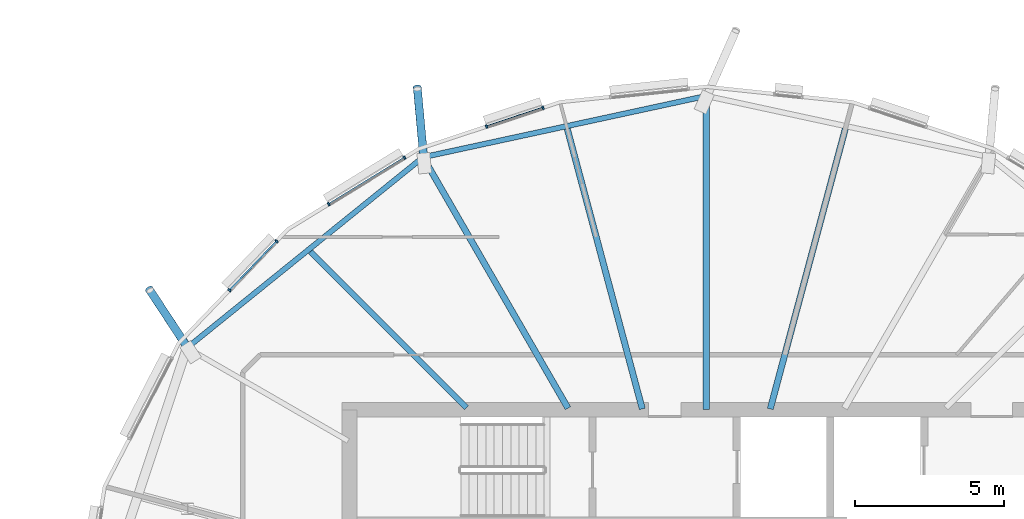
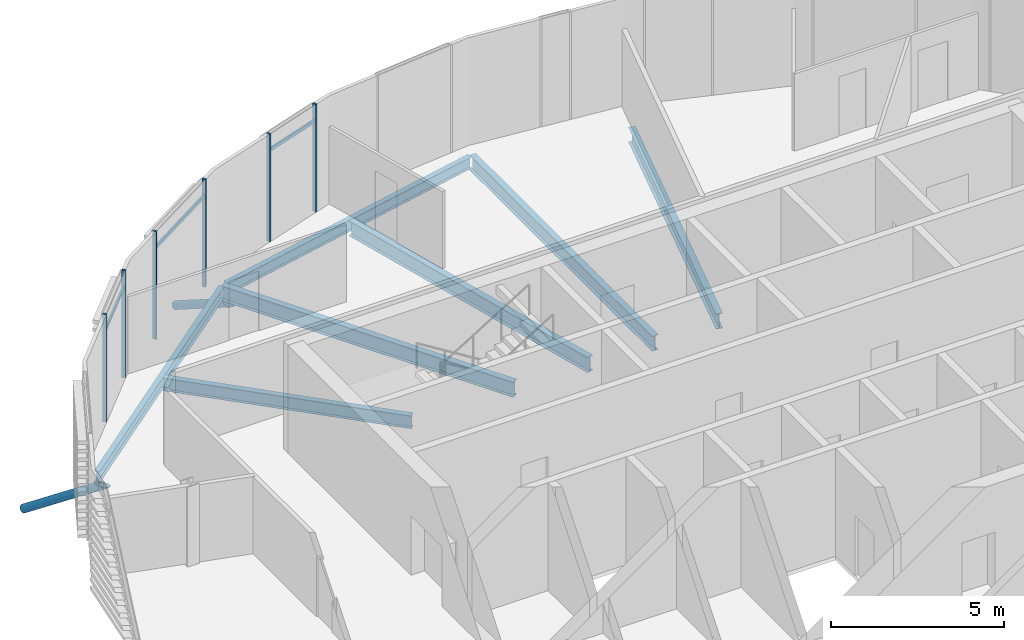
# One storey, part 7 of 41: 11 members, 7 beams, 1 element without a shape of its own.
"""IFC4 building model written with IfcOpenShell, lengths in metres."""

from ifc_helpers import new_model, si_unit, direction, frame, origin, origin_2d, place, context, subcontext, project, spatial, rectangle, hollow_circle, i_section, extrude, clip, halfspace, material, material_profile, profile_set, type_object, element, aggregate, save


model = new_model("IFC4")

# Units and contexts
model_context = context("Model", 3, precision=1e-05, world=origin(), true_north=direction((0.0, 1.0)))
body_context = subcontext(model_context, "Body", "Model", "MODEL_VIEW")
ifc_project = project(units=[si_unit("LENGTHUNIT", "METRE"), si_unit("AREAUNIT", "SQUARE_METRE"), si_unit("VOLUMEUNIT", "CUBIC_METRE"), si_unit("PLANEANGLEUNIT", "RADIAN"), si_unit("MASSUNIT", "GRAM", prefix="KILO")], contexts=[model_context])

# Site, building, storey
site_placement = place(None, origin())
site = spatial("IfcSite", under=ifc_project, at=site_placement, CompositionType="ELEMENT")
building_placement = place(site_placement, origin())
building = spatial("IfcBuilding", under=site, at=building_placement, Name="Rimbun Link Towers", CompositionType="ELEMENT")
storey_placement = place(building_placement, frame((0.0, 0.0, 210.5)))
storey = spatial("IfcBuildingStorey", under=building, at=storey_placement, Name="L51", CompositionType="ELEMENT", Elevation=210.5)

# Curtain wall, members
ifc_material_1 = material(Name="Aluminium 6063-T6 and low-iron glass", Category="aluminium")
curtain_wall_type = type_object("IfcCurtainWallType", Name="CW1-Z4 unitised vision wall (zone 4)", PredefinedType="NOTDEFINED", material=ifc_material_1)
curtain_wall_placement = place(storey_placement, origin())
curtain_wall = element("IfcCurtainWall", 1, at=curtain_wall_placement, inside=storey, type_object=curtain_wall_type, Name="CW1 L51 T1", PredefinedType="NOTDEFINED")
ifc_material_2 = material(Name="Aluminium 6063-T6", Category="aluminium")
ifc_material_profile_1 = material_profile(ifc_material_2, rectangle(XDim=0.1201171875, YDim=0.06005859375, at=origin_2d()), Name="MULLION 60X120")
ifc_profile_set_1 = profile_set([ifc_material_profile_1], Name="Aluminium 6063-T6")
member_type_1 = type_object("IfcMemberType", Name="CW1 mullion 60X120", PredefinedType="MULLION", material=ifc_profile_set_1)
member_1_placement = place(storey_placement, frame((-39.140380859375, 17.525634765625, 0.0), z_axis=(0.0, 0.0, 1.0), x_axis=(-0.314578449635, 0.949231478105, 0.0)))
member_1 = element("IfcMember", 2, at=member_1_placement, type_object=member_type_1, Name="CW1 mullion", PredefinedType="MULLION", context=body_context, shape_type="SweptSolid", body=[
    extrude(rectangle(XDim=0.1201171875, YDim=0.06005859375, at=origin_2d()), origin(), (0.0, 0.0, 1.0), 3.800048828125),
])
member_2_placement = place(storey_placement, frame((-37.238525390625, 18.156005859375, 0.0), z_axis=(0.0, 0.0, 1.0), x_axis=(-0.314578449635, 0.949231478105, 0.0)))
member_2 = element("IfcMember", 3, at=member_2_placement, type_object=member_type_1, Name="CW1 mullion", PredefinedType="MULLION", context=body_context, shape_type="SweptSolid", body=[
    extrude(rectangle(XDim=0.1201171875, YDim=0.06005859375, at=origin_2d()), origin(), (0.0, 0.0, 1.0), 3.800048828125),
])
member_3_placement = place(storey_placement, frame((-44.4443359375, 14.914794921875, 0.0), z_axis=(0.0, 0.0, 1.0), x_axis=(-0.523242195727, 0.852184020392, 0.0)))
member_3 = element("IfcMember", 4, at=member_3_placement, type_object=member_type_1, Name="CW1 mullion", PredefinedType="MULLION", context=body_context, shape_type="SweptSolid", body=[
    extrude(rectangle(XDim=0.1201171875, YDim=0.06005859375, at=origin_2d()), origin(), (0.0, 0.0, 1.0), 3.800048828125),
])
member_4_placement = place(storey_placement, frame((-41.89990234375, 16.47705078125, 0.0), z_axis=(0.0, 0.0, 1.0), x_axis=(-0.523242195727, 0.852184020392, 0.0)))
member_4 = element("IfcMember", 5, at=member_4_placement, type_object=member_type_1, Name="CW1 mullion", PredefinedType="MULLION", context=body_context, shape_type="SweptSolid", body=[
    extrude(rectangle(XDim=0.1201171875, YDim=0.06005859375, at=origin_2d()), origin(), (0.0, 0.0, 1.0), 3.800048828125),
])
member_5_placement = place(storey_placement, frame((-47.78271484375, 12.0205078125, 0.0), z_axis=(0.0, 0.0, 1.0), x_axis=(-0.721846446019, 0.692053255443, 0.0)))
member_5 = element("IfcMember", 6, at=member_5_placement, type_object=member_type_1, Name="CW1 mullion", PredefinedType="MULLION", context=body_context, shape_type="SweptSolid", body=[
    extrude(rectangle(XDim=0.1201171875, YDim=0.06005859375, at=origin_2d()), origin(), (0.0, 0.0, 1.0), 3.800048828125),
])
member_6_placement = place(storey_placement, frame((-46.200439453125, 13.6708984375, 0.0), z_axis=(0.0, 0.0, 1.0), x_axis=(-0.721846446019, 0.692053255443, 0.0)))
member_6 = element("IfcMember", 7, at=member_6_placement, type_object=member_type_1, Name="CW1 mullion", PredefinedType="MULLION", context=body_context, shape_type="SweptSolid", body=[
    extrude(rectangle(XDim=0.1201171875, YDim=0.06005859375, at=origin_2d()), origin(), (0.0, 0.0, 1.0), 3.800048828125),
])
ifc_material_3 = material(Name="Aluminium 6063-T6", Category="aluminium")
ifc_material_profile_2 = material_profile(ifc_material_3, rectangle(XDim=0.06005859375, YDim=0.1201171875, at=origin_2d()), Name="TRANSOM 60X120")
ifc_profile_set_2 = profile_set([ifc_material_profile_2], Name="Aluminium 6063-T6")
member_type_2 = type_object("IfcMemberType", Name="CW1 transom 60X120", PredefinedType="USERDEFINED", material=ifc_profile_set_2)
member_7_placement = place(storey_placement, frame((-39.111328125, 17.533203125, 3.199951171875), z_axis=(0.949247034783, 0.314531503916, 0.0), x_axis=(-0.314531503916, 0.949247034783, 0.0)))
member_7 = element("IfcMember", 8, at=member_7_placement, type_object=member_type_2, Name="CW1 transom", ObjectType="TRANSOM", PredefinedType="USERDEFINED", context=body_context, shape_type="SweptSolid", body=[
    extrude(rectangle(XDim=0.06005859375, YDim=0.1201171875, at=origin_2d()), origin(), (0.0, 0.0, 1.0), 1.943603515625),
])
member_8_placement = place(storey_placement, frame((-44.417724609375, 14.9287109375, 3.199951171875), z_axis=(0.852176447693, 0.523254528883, 0.0), x_axis=(-0.523254528883, 0.852176447693, 0.0)))
member_8 = element("IfcMember", 9, at=member_8_placement, type_object=member_type_2, Name="CW1 transom", ObjectType="TRANSOM", PredefinedType="USERDEFINED", context=body_context, shape_type="SweptSolid", body=[
    extrude(rectangle(XDim=0.06005859375, YDim=0.1201171875, at=origin_2d()), origin(), (0.0, 0.0, 1.0), 2.926025390625),
])
member_9_placement = place(storey_placement, frame((-47.760498046875, 12.040771484375, 3.199951171875), z_axis=(0.692036343125, 0.721862659925, 0.0), x_axis=(-0.721862659925, 0.692036343125, 0.0)))
member_9 = element("IfcMember", 10, at=member_9_placement, type_object=member_type_2, Name="CW1 transom", ObjectType="TRANSOM", PredefinedType="USERDEFINED", context=body_context, shape_type="SweptSolid", body=[
    extrude(rectangle(XDim=0.06005859375, YDim=0.1201171875, at=origin_2d()), origin(), (0.0, 0.0, 1.0), 2.226318359375),
])
aggregate(curtain_wall, [member_1, member_2, member_3, member_4, member_5, member_6, member_7, member_8, member_9])

# Members
ifc_material_4 = material(Name="Steel S355J2H", Category="steel")
ifc_material_profile_3 = material_profile(ifc_material_4, hollow_circle(Radius=0.136474609375, WallThickness=0.012451171875, at=origin_2d()), Name="CHS 273x12.5")
ifc_profile_set_3 = profile_set([ifc_material_profile_3], Name="Steel S355J2H")
member_type_3 = type_object("IfcMemberType", Name="Floor edge link CHS 273x12.5", PredefinedType="BRACE", material=ifc_profile_set_3)
member_10_placement = place(storey_placement, frame((-41.2470703125, 16.44921875, -0.78955078125), z_axis=(-0.078910202151, 0.851901029812, -0.517723686344), x_axis=(-0.995737403043, -0.092233530673, 0.0)))
element("IfcMember", 11, at=member_10_placement, inside=storey, type_object=member_type_3, Name="Floor edge link T1 L51 08", PredefinedType="BRACE", context=body_context, shape_type="Clipping", body=[
    clip(extrude(hollow_circle(Radius=0.136474609375, WallThickness=0.012451171875, at=origin_2d()), frame((0.0, 0.0, -0.470458984375)), (0.0, 0.0, 1.0), 3.2890625), halfspace(frame((0.0, 0.0, -0.220947265625), z_axis=(0.0, 0.855547885626, -0.517723686344)), False)),
])
member_11_placement = place(storey_placement, frame((-49.168701171875, 10.056640625, -0.609619140625), z_axis=(-0.46215677219, 0.703002654026, -0.540553777483), x_axis=(-0.835605308617, -0.549330290637, 0.0)))
element("IfcMember", 12, at=member_11_placement, inside=storey, type_object=member_type_3, Name="Floor edge link T1 L51 10", PredefinedType="BRACE", context=body_context, shape_type="Clipping", body=[
    clip(extrude(hollow_circle(Radius=0.136474609375, WallThickness=0.012451171875, at=origin_2d()), frame((0.0, 0.0, -0.443359375)), (0.0, 0.0, 1.0), 3.29296875), halfspace(frame((0.0, 0.0, -0.208251953125), z_axis=(0.0, 0.841309463663, -0.540553777483)), False)),
])

# Beams
ifc_material_5 = material(Name="Steel S355J2", Category="steel")
ifc_material_profile_4 = material_profile(ifc_material_5, i_section(OverallWidth=0.177978515625, OverallDepth=0.406494140625, WebThickness=0.0078125, FlangeThickness=0.0126953125, at=origin_2d()), Name="UB 406x178x60")
ifc_profile_set_4 = profile_set([ifc_material_profile_4], Name="Steel S355J2")
beam_type_1 = type_object("IfcBeamType", Name="UB 406x178x60", PredefinedType="BEAM", material=ifc_profile_set_4)
beam_1_placement = place(storey_placement, frame((-31.855712890625, 18.529541015625, -0.34326171875), z_axis=(-0.977394267273, -0.211424800582, 0.0), x_axis=(0.211424800582, -0.977394267273, 0.0)))
element("IfcBeam", 13, at=beam_1_placement, inside=storey, type_object=beam_type_1, Name="Edge beam T1 L51 06-08", PredefinedType="BEAM", context=body_context, shape_type="SweptSolid", body=[
    extrude(i_section(OverallWidth=0.177978515625, OverallDepth=0.406494140625, WebThickness=0.0078125, FlangeThickness=0.0126953125, at=origin_2d()), origin(), (0.0, 0.0, 1.0), 9.523193359375),
])
beam_2_placement = place(storey_placement, frame((-41.355224609375, 16.425537109375, -0.34326171875), z_axis=(-0.778027876304, -0.628229753907, 0.0), x_axis=(0.628229753907, -0.778027876304, 0.0)))
element("IfcBeam", 14, at=beam_2_placement, inside=storey, type_object=beam_type_1, Name="Edge beam T1 L51 08-10", PredefinedType="BEAM", context=body_context, shape_type="SweptSolid", body=[
    extrude(i_section(OverallWidth=0.177978515625, OverallDepth=0.406494140625, WebThickness=0.0078125, FlangeThickness=0.0126953125, at=origin_2d()), origin(), (0.0, 0.0, 1.0), 10.00537109375),
])
ifc_material_6 = material(Name="Steel S355J2", Category="steel")
ifc_material_profile_5 = material_profile(ifc_material_6, i_section(OverallWidth=0.18994140625, OverallDepth=0.453369140625, WebThickness=0.008544921875, FlangeThickness=0.0126953125, at=origin_2d()), Name="UB 457x191x67")
ifc_profile_set_5 = profile_set([ifc_material_profile_5], Name="Steel S355J2")
beam_type_2 = type_object("IfcBeamType", Name="UB 457x191x67", PredefinedType="BEAM", material=ifc_profile_set_5)
beam_3_placement = place(storey_placement, frame((-39.81787109375, 8.06787109375, -0.36669921875), z_axis=(-0.707106781187, 0.707106781187, 0.0), x_axis=(-0.707106781187, -0.707106781187, 0.0)))
element("IfcBeam", 15, at=beam_3_placement, inside=storey, type_object=beam_type_2, Name="Radial beam T1 L51 09", PredefinedType="BEAM", context=body_context, shape_type="SweptSolid", body=[
    extrude(i_section(OverallWidth=0.18994140625, OverallDepth=0.453369140625, WebThickness=0.008544921875, FlangeThickness=0.0126953125, at=origin_2d()), origin(), (0.0, 0.0, 1.0), 7.420166015625),
])
ifc_material_7 = material(Name="Steel S355J2", Category="steel")
ifc_material_profile_6 = material_profile(ifc_material_7, i_section(OverallWidth=0.209228515625, OverallDepth=0.533203125, WebThickness=0.010009765625, FlangeThickness=0.015625, at=origin_2d()), Name="UB 533x210x92")
ifc_profile_set_6 = profile_set([ifc_material_profile_6], Name="Steel S355J2")
beam_type_3 = type_object("IfcBeamType", Name="UB 533x210x92", PredefinedType="BEAM", material=ifc_profile_set_6)
beam_4_placement = place(storey_placement, frame((-29.598876953125, 8.028076171875, -0.406494140625), z_axis=(0.258804484658, 0.965929727631, 0.0), x_axis=(-0.965929727631, 0.258804484658, 0.0)))
element("IfcBeam", 16, at=beam_4_placement, inside=storey, type_object=beam_type_3, Name="Radial beam T1 L51 05", PredefinedType="BEAM", context=body_context, shape_type="SweptSolid", body=[
    extrude(i_section(OverallWidth=0.209228515625, OverallDepth=0.533203125, WebThickness=0.010009765625, FlangeThickness=0.015625, at=origin_2d()), origin(), (0.0, 0.0, 1.0), 9.753173828125),
])
beam_5_placement = place(storey_placement, frame((-31.75, 8.0009765625, -0.406494140625), z_axis=(0.0, 1.0, 0.0), x_axis=(-1.0, 0.0, 0.0)))
element("IfcBeam", 17, at=beam_5_placement, inside=storey, type_object=beam_type_3, Name="Radial beam T1 L51 06", PredefinedType="BEAM", context=body_context, shape_type="SweptSolid", body=[
    extrude(i_section(OverallWidth=0.209228515625, OverallDepth=0.533203125, WebThickness=0.010009765625, FlangeThickness=0.015625, at=origin_2d()), origin(), (0.0, 0.0, 1.0), 10.55126953125),
])
beam_6_placement = place(storey_placement, frame((-33.901123046875, 8.028076171875, -0.406494140625), z_axis=(-0.258804484658, 0.965929727631, 0.0), x_axis=(-0.965929727631, -0.258804484658, 0.0)))
element("IfcBeam", 18, at=beam_6_placement, inside=storey, type_object=beam_type_3, Name="Radial beam T1 L51 07", PredefinedType="BEAM", context=body_context, shape_type="SweptSolid", body=[
    extrude(i_section(OverallWidth=0.209228515625, OverallDepth=0.533203125, WebThickness=0.010009765625, FlangeThickness=0.015625, at=origin_2d()), origin(), (0.0, 0.0, 1.0), 9.753173828125),
])
beam_7_placement = place(storey_placement, frame((-36.3994140625, 8.05322265625, -0.406494140625), z_axis=(-0.50000292919, 0.866023712609, 0.0), x_axis=(-0.866023712609, -0.50000292919, 0.0)))
element("IfcBeam", 19, at=beam_7_placement, inside=storey, type_object=beam_type_3, Name="Radial beam T1 L51 08", PredefinedType="BEAM", context=body_context, shape_type="SweptSolid", body=[
    extrude(i_section(OverallWidth=0.209228515625, OverallDepth=0.533203125, WebThickness=0.010009765625, FlangeThickness=0.015625, at=origin_2d()), origin(), (0.0, 0.0, 1.0), 9.7451171875),
])

save(model, "model.ifc")
